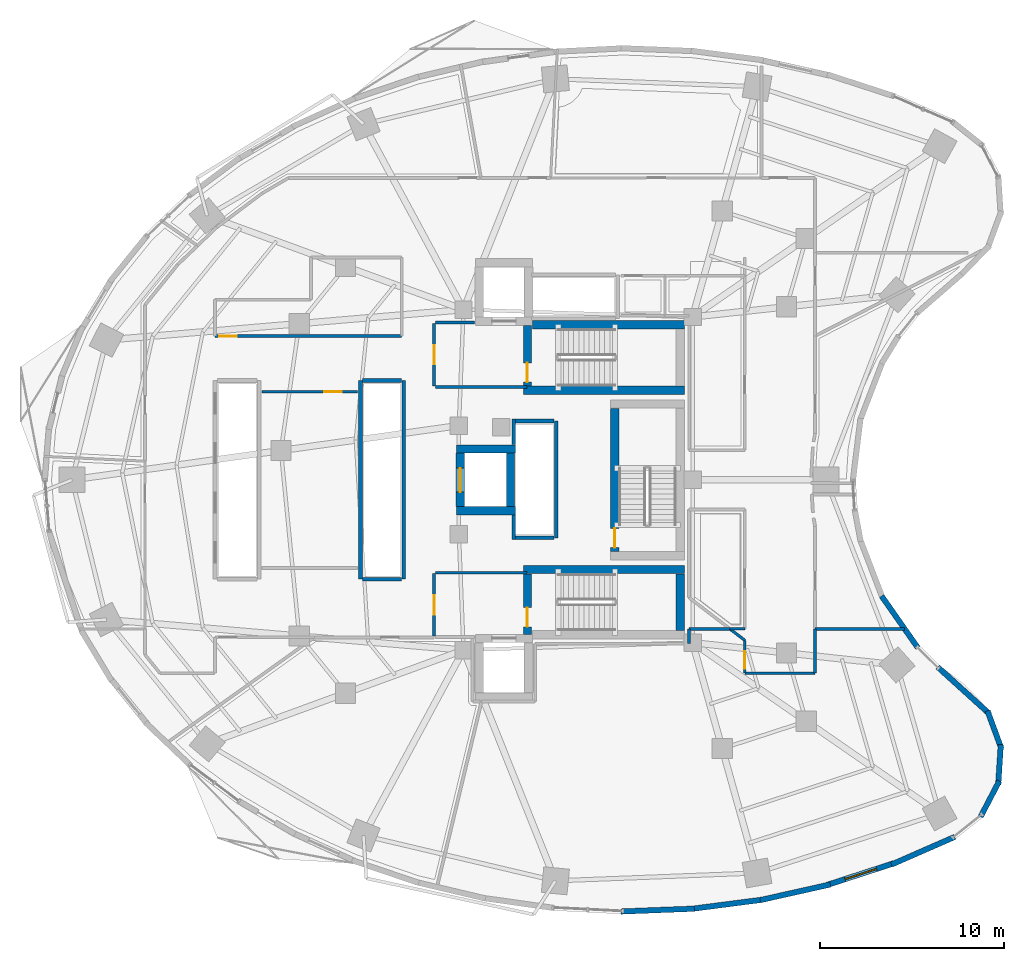
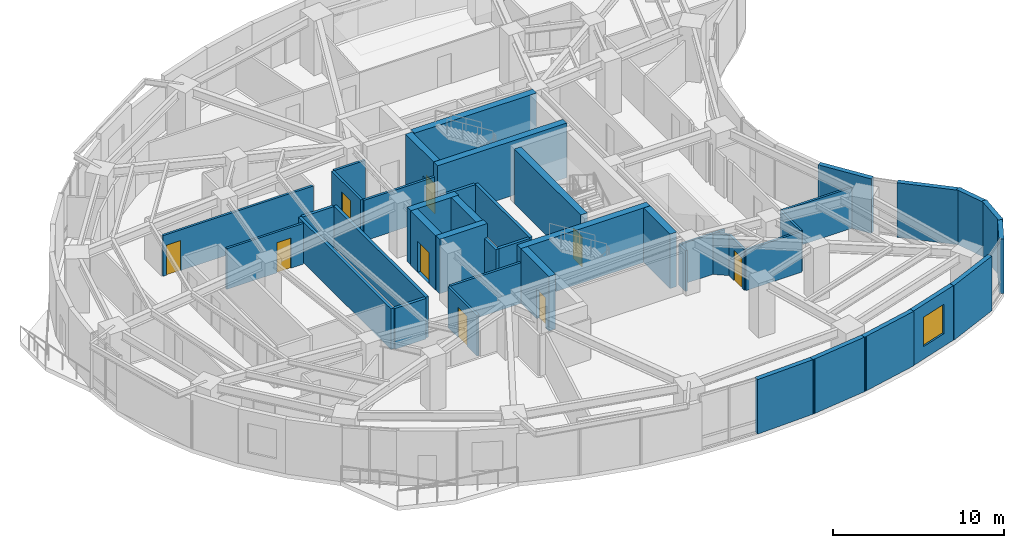
# One storey, part 9 of 15: 45 walls, 9 doors, 1 window, 10 openings.
"""IFC4 building model written with IfcOpenShell, lengths in metres."""

from ifc_helpers import new_model, si_unit, direction, frame, frame_2d, origin, place, context, subcontext, project, spatial, rectangle, extrude, material, layer, layer_set, type_object, element, fill, save


model = new_model("IFC4")

# Units and contexts
model_context = context("Model", 3, precision=1e-05, world=origin(), true_north=direction((0.0, 1.0)))
body_context = subcontext(model_context, "Body", "Model", "MODEL_VIEW")
ifc_project = project(units=[si_unit("LENGTHUNIT", "METRE"), si_unit("AREAUNIT", "SQUARE_METRE"), si_unit("VOLUMEUNIT", "CUBIC_METRE"), si_unit("PLANEANGLEUNIT", "RADIAN"), si_unit("MASSUNIT", "GRAM", prefix="KILO")], contexts=[model_context])

# Site, building, storey
site_placement = place(None, origin())
site = spatial("IfcSite", under=ifc_project, at=site_placement, CompositionType="ELEMENT")
building_placement = place(site_placement, origin())
building = spatial("IfcBuilding", under=site, at=building_placement, Name="Korentha Bioscience Tower", CompositionType="ELEMENT")
storey_placement = place(building_placement, frame((0.0, 0.0, 34.199951171875)))
storey = spatial("IfcBuildingStorey", under=building, at=storey_placement, Name="L07", CompositionType="ELEMENT", Elevation=34.199951171875)

# Wall, opening, door
ifc_material_1 = material(Name="Double-Stud Acoustic Gypsum", Category="gypsum")
ifc_layer_1 = layer(ifc_material_1, 0.14990234375, Name="Double-Stud Acoustic Gypsum")
ifc_layer_set_1 = layer_set([ifc_layer_1], Name="Double-Stud Acoustic Gypsum (IW-L150)")
wall_type_1 = type_object("IfcWallType", Name="Acoustic Laboratory Partition Wall 150", PredefinedType="PARTITIONING", material=ifc_layer_set_1)
wall_1_placement = place(storey_placement, frame((14.159912109375, 31.7900390625, 0.0), z_axis=(0.0, 0.0, 1.0), x_axis=(1.0, 0.0, 0.0)))
wall_1 = element("IfcWall", 1, at=wall_1_placement, inside=storey, type_object=wall_type_1, Name="L07 Principal Investigator Office 01 Entrance Wall", PredefinedType="PARTITIONING", context=body_context, shape_type="SweptSolid", body=[
    extrude(rectangle(XDim=5.18017578125, YDim=0.14990234375, at=frame_2d((2.590087890625, 0.0))), origin(), (0.0, 0.0, 1.0), 2.91015625),
])
opening_1_placement = place(wall_1_placement, frame((3.37841796875, 0.0, 0.0)))
opening_1 = element("IfcOpeningElement", 2, at=opening_1_placement, cuts=wall_1, Name="Opening ID-10L", PredefinedType="OPENING", context=body_context, shape_type="SweptSolid", body=[
    extrude(rectangle(XDim=0.949951171875, YDim=2.14990234375, at=frame_2d((0.47509765625, 1.074951171875))), frame((0.0, 0.08984375, 0.0), z_axis=(0.0, -1.0, 0.0), x_axis=(1.0, 0.0, 0.0)), (0.0, 0.0, 1.0), 0.1796875),
])
ifc_material_2 = material(Name="Phenolic Laminate Timber Core", Category="wood")
door_type_1 = type_object("IfcDoorType", Name="Laboratory Single Leaf Door 950x2150 Left", OperationType="SINGLE_SWING_LEFT", PredefinedType="DOOR", material=ifc_material_2)
door_1_placement = place(opening_1_placement, origin())
door_1 = element("IfcDoor", 3, at=door_1_placement, inside=storey, type_object=door_type_1, Name="L07 Principal Investigator Office 01 Door", OperationType="SINGLE_SWING_LEFT", OverallHeight=2.14990234375, OverallWidth=0.949951171875, PredefinedType="DOOR", context=body_context, shape_type="SweptSolid", body=[
    extrude(rectangle(XDim=0.949951171875, YDim=2.14990234375, at=frame_2d((0.47509765625, 1.074951171875))), frame((0.0, 0.02490234375, 0.0), z_axis=(0.0, -1.0, 0.0), x_axis=(1.0, 0.0, 0.0)), (0.0, 0.0, 1.0), 0.050048828125),
])
fill(opening_1, door_1)

wall_2_placement = place(storey_placement, frame((40.389892578125, 18.278076171875, 0.0), z_axis=(0.0, 0.0, 1.0), x_axis=(0.0, -1.0, 0.0)))
wall_2 = element("IfcWall", 4, at=wall_2_placement, inside=storey, type_object=wall_type_1, Name="L07 Ethics and Biosafety Briefing Room 05 Entrance Wall", PredefinedType="PARTITIONING", context=body_context, shape_type="SweptSolid", body=[
    extrude(rectangle(XDim=1.778076171875, YDim=0.14990234375, at=frame_2d((0.88916015625, 0.0))), origin(), (0.0, 0.0, 1.0), 2.91015625),
])
opening_2_placement = place(wall_2_placement, frame((0.587890625, 0.0, 0.0)))
opening_2 = element("IfcOpeningElement", 5, at=opening_2_placement, cuts=wall_2, Name="Opening ID-10L", PredefinedType="OPENING", context=body_context, shape_type="SweptSolid", body=[
    extrude(rectangle(XDim=0.949951171875, YDim=2.14990234375, at=frame_2d((0.47509765625, 1.074951171875))), frame((0.0, 0.08984375, 0.0), z_axis=(0.0, -1.0, 0.0), x_axis=(1.0, 0.0, 0.0)), (0.0, 0.0, 1.0), 0.1796875),
])
door_2_placement = place(opening_2_placement, origin())
door_2 = element("IfcDoor", 6, at=door_2_placement, inside=storey, type_object=door_type_1, Name="L07 Ethics and Biosafety Briefing Room 05 Door", OperationType="SINGLE_SWING_LEFT", OverallHeight=2.14990234375, OverallWidth=0.949951171875, PredefinedType="DOOR", context=body_context, shape_type="SweptSolid", body=[
    extrude(rectangle(XDim=0.949951171875, YDim=2.14990234375, at=frame_2d((0.47509765625, 1.074951171875))), frame((0.0, 0.02490234375, 0.0), z_axis=(0.0, -1.0, 0.0), x_axis=(1.0, 0.0, 0.0)), (0.0, 0.0, 1.0), 0.050048828125),
])
fill(opening_2, door_2)

wall_3_placement = place(storey_placement, frame((21.739990234375, 34.81005859375, 0.0), z_axis=(0.0, 0.0, 1.0), x_axis=(-1.0, 0.0, 0.0)))
wall_3 = element("IfcWall", 7, at=wall_3_placement, inside=storey, type_object=wall_type_1, Name="L07 Terrace View Refreshment Lounge 15 Entrance Wall", PredefinedType="PARTITIONING", context=body_context, shape_type="SweptSolid", body=[
    extrude(rectangle(XDim=10.14990234375, YDim=0.14990234375, at=frame_2d((5.074951171875, 0.0))), origin(), (0.0, 0.0, 1.0), 2.91015625),
])
opening_3_placement = place(wall_3_placement, frame((8.9599609375, 0.0, 0.0)))
opening_3 = element("IfcOpeningElement", 8, at=opening_3_placement, cuts=wall_3, Name="Opening ID-10L", PredefinedType="OPENING", context=body_context, shape_type="SweptSolid", body=[
    extrude(rectangle(XDim=0.949951171875, YDim=2.14990234375, at=frame_2d((0.47509765625, 1.074951171875))), frame((0.0, 0.08984375, 0.0), z_axis=(0.0, -1.0, 0.0), x_axis=(1.0, 0.0, 0.0)), (0.0, 0.0, 1.0), 0.1796875),
])
door_3_placement = place(opening_3_placement, origin())
door_3 = element("IfcDoor", 9, at=door_3_placement, inside=storey, type_object=door_type_1, Name="L07 Terrace View Refreshment Lounge 15 Door", OperationType="SINGLE_SWING_LEFT", OverallHeight=2.14990234375, OverallWidth=0.949951171875, PredefinedType="DOOR", context=body_context, shape_type="SweptSolid", body=[
    extrude(rectangle(XDim=0.949951171875, YDim=2.14990234375, at=frame_2d((0.47509765625, 1.074951171875))), frame((0.0, 0.02490234375, 0.0), z_axis=(0.0, -1.0, 0.0), x_axis=(1.0, 0.0, 0.0)), (0.0, 0.0, 1.0), 0.050048828125),
])
fill(opening_3, door_3)

# Walls
wall_4_placement = place(storey_placement, frame((37.360107421875, 18.10009765625, 0.0), z_axis=(0.0, 0.0, 1.0), x_axis=(0.0, 1.0, 0.0)))
element("IfcWall", 10, at=wall_4_placement, inside=storey, type_object=wall_type_1, Name="L07 Interior Partition 033", PredefinedType="PARTITIONING", context=body_context, shape_type="SweptSolid", body=[
    extrude(rectangle(XDim=0.7978515625, YDim=0.14990234375, at=frame_2d((0.39892578125, 0.0))), origin(), (0.0, 0.0, 1.0), 2.91015625),
])
wall_5_placement = place(storey_placement, frame((37.360107421875, 18.89794921875, 0.0), z_axis=(0.0, 0.0, 1.0), x_axis=(1.0, 0.0, 0.0)))
element("IfcWall", 11, at=wall_5_placement, inside=storey, type_object=wall_type_1, Name="L07 Interior Partition 034", PredefinedType="PARTITIONING", context=body_context, shape_type="SweptSolid", body=[
    extrude(rectangle(XDim=2.218017578125, YDim=0.14990234375, at=frame_2d((1.10888671875, 0.0))), origin(), (0.0, 0.0, 1.0), 2.91015625),
])
wall_6_placement = place(storey_placement, frame((39.578369140625, 18.89794921875, 0.0), z_axis=(0.0, 0.0, 1.0), x_axis=(0.794690228638, -0.607015189684, 0.0)))
element("IfcWall", 12, at=wall_6_placement, inside=storey, type_object=wall_type_1, Name="L07 Interior Partition 035", PredefinedType="PARTITIONING", context=body_context, shape_type="SweptSolid", body=[
    extrude(rectangle(XDim=1.021240234375, YDim=0.14990234375, at=frame_2d((0.5107421875, 0.0))), origin(), (0.0, 0.0, 1.0), 2.91015625),
])
wall_7_placement = place(storey_placement, frame((40.39990234375, 16.489990234375, 0.0), z_axis=(0.0, 0.0, 1.0), x_axis=(1.0, 0.0, 0.0)))
element("IfcWall", 13, at=wall_7_placement, inside=storey, type_object=wall_type_1, Name="L07 Interior Partition 036", PredefinedType="PARTITIONING", context=body_context, shape_type="SweptSolid", body=[
    extrude(rectangle(XDim=3.800048828125, YDim=0.14990234375, at=frame_2d((1.89990234375, 0.0))), origin(), (0.0, 0.0, 1.0), 2.91015625),
])
wall_8_placement = place(storey_placement, frame((44.2099609375, 16.5, 0.0), z_axis=(0.0, 0.0, 1.0), x_axis=(0.0, 1.0, 0.0)))
element("IfcWall", 14, at=wall_8_placement, inside=storey, type_object=wall_type_1, Name="L07 Interior Partition 037", PredefinedType="PARTITIONING", context=body_context, shape_type="SweptSolid", body=[
    extrude(rectangle(XDim=2.39794921875, YDim=0.14990234375, at=frame_2d((1.198974609375, 0.0))), origin(), (0.0, 0.0, 1.0), 2.91015625),
])
wall_9_placement = place(storey_placement, frame((44.2099609375, 18.89794921875, 0.0), z_axis=(0.0, 0.0, 1.0), x_axis=(1.0, 0.0, 0.0)))
element("IfcWall", 15, at=wall_9_placement, inside=storey, type_object=wall_type_1, Name="L07 Interior Partition 038", PredefinedType="PARTITIONING", context=body_context, shape_type="SweptSolid", body=[
    extrude(rectangle(XDim=4.855224609375, YDim=0.14990234375, at=frame_2d((2.427734375, 0.0))), origin(), (0.0, 0.0, 1.0), 2.91015625),
])
wall_10_placement = place(storey_placement, frame((40.389892578125, 18.902099609375, 0.0), z_axis=(0.0, 0.0, 1.0), x_axis=(-1.0, 0.0, 0.0)))
element("IfcWall", 16, at=wall_10_placement, inside=storey, type_object=wall_type_1, Name="L07 Interior Partition 043", PredefinedType="PARTITIONING", context=body_context, shape_type="SweptSolid", body=[
    extrude(rectangle(XDim=0.80029296875, YDim=0.14990234375, at=frame_2d((0.400146484375, 0.0))), origin(), (0.0, 0.0, 1.0), 2.91015625),
])

# Wall, opening, door
ifc_material_3 = material(Name="Gypsum-Clad Steel Stud", Category="steel")
ifc_layer_2 = layer(ifc_material_3, 0.159912109375, Name="Gypsum-Clad Steel Stud")
ifc_layer_set_2 = layer_set([ifc_layer_2], Name="Gypsum-Clad Steel Stud (IW-C160)")
wall_type_2 = type_object("IfcWallType", Name="Fire-Rated Corridor Partition Wall 160", PredefinedType="PARTITIONING", material=ifc_layer_set_2)
wall_11_placement = place(storey_placement, frame((23.5, 32.10009765625, 0.0), z_axis=(0.0, 0.0, 1.0), x_axis=(0.0, 1.0, 0.0)))
wall_11 = element("IfcWall", 17, at=wall_11_placement, inside=storey, type_object=wall_type_2, Name="L07 FFLN-CW Rated Enclosure Wall", PredefinedType="PARTITIONING", context=body_context, shape_type="SweptSolid", body=[
    extrude(rectangle(XDim=3.39990234375, YDim=0.159912109375, at=frame_2d((1.699951171875, 0.0))), origin(), (0.0, 0.0, 1.0), 2.91015625),
])
opening_4_placement = place(wall_11_placement, frame((1.175048828125, 0.0, 0.0)))
opening_4 = element("IfcOpeningElement", 18, at=opening_4_placement, cuts=wall_11, Name="Opening FD-90R", PredefinedType="OPENING", context=body_context, shape_type="SweptSolid", body=[
    extrude(rectangle(XDim=1.050048828125, YDim=2.14990234375, at=frame_2d((0.52490234375, 1.074951171875))), frame((0.0, 0.0947265625, 0.0), z_axis=(0.0, -1.0, 0.0), x_axis=(1.0, 0.0, 0.0)), (0.0, 0.0, 1.0), 0.189697265625),
])
ifc_material_4 = material(Name="Powder-Coated Fire-Rated Steel", Category="steel")
door_type_2 = type_object("IfcDoorType", Name="Stairwell Fire Exit Door 1050x2150 Right", OperationType="SINGLE_SWING_RIGHT", PredefinedType="DOOR", material=ifc_material_4)
door_4_placement = place(opening_4_placement, origin())
door_4 = element("IfcDoor", 19, at=door_4_placement, inside=storey, type_object=door_type_2, Name="L07 North Firefighting Lobby Door", OperationType="SINGLE_SWING_RIGHT", OverallHeight=2.14990234375, OverallWidth=1.050048828125, PredefinedType="DOOR", context=body_context, shape_type="SweptSolid", body=[
    extrude(rectangle(XDim=1.050048828125, YDim=2.14990234375, at=frame_2d((0.52490234375, 1.074951171875))), frame((0.0, 0.02490234375, 0.0), z_axis=(0.0, -1.0, 0.0), x_axis=(1.0, 0.0, 0.0)), (0.0, 0.0, 1.0), 0.050048828125),
])
fill(opening_4, door_4)

wall_12_placement = place(storey_placement, frame((23.5, 18.5, 0.0), z_axis=(0.0, 0.0, 1.0), x_axis=(0.0, 1.0, 0.0)))
wall_12 = element("IfcWall", 20, at=wall_12_placement, inside=storey, type_object=wall_type_2, Name="L07 FFLS-CW Rated Enclosure Wall", PredefinedType="PARTITIONING", context=body_context, shape_type="SweptSolid", body=[
    extrude(rectangle(XDim=3.39990234375, YDim=0.159912109375, at=frame_2d((1.699951171875, 0.0))), origin(), (0.0, 0.0, 1.0), 2.91015625),
])
opening_5_placement = place(wall_12_placement, frame((1.175048828125, 0.0, 0.0)))
opening_5 = element("IfcOpeningElement", 21, at=opening_5_placement, cuts=wall_12, Name="Opening FD-90R", PredefinedType="OPENING", context=body_context, shape_type="SweptSolid", body=[
    extrude(rectangle(XDim=1.050048828125, YDim=2.14990234375, at=frame_2d((0.52490234375, 1.074951171875))), frame((0.0, 0.0947265625, 0.0), z_axis=(0.0, -1.0, 0.0), x_axis=(1.0, 0.0, 0.0)), (0.0, 0.0, 1.0), 0.189697265625),
])
door_5_placement = place(opening_5_placement, origin())
door_5 = element("IfcDoor", 22, at=door_5_placement, inside=storey, type_object=door_type_2, Name="L07 South Firefighting Lobby Door", OperationType="SINGLE_SWING_RIGHT", OverallHeight=2.14990234375, OverallWidth=1.050048828125, PredefinedType="DOOR", context=body_context, shape_type="SweptSolid", body=[
    extrude(rectangle(XDim=1.050048828125, YDim=2.14990234375, at=frame_2d((0.52490234375, 1.074951171875))), frame((0.0, 0.02490234375, 0.0), z_axis=(0.0, -1.0, 0.0), x_axis=(1.0, 0.0, 0.0)), (0.0, 0.0, 1.0), 0.050048828125),
])
fill(opening_5, door_5)

# Walls
wall_13_placement = place(storey_placement, frame((23.580078125, 32.050048828125, 0.0), z_axis=(0.0, 0.0, 1.0), x_axis=(1.0, 0.0, 0.0)))
element("IfcWall", 23, at=wall_13_placement, inside=storey, type_object=wall_type_2, Name="L07 Firefighting Lobby Return Wall FFLN-S", PredefinedType="PARTITIONING", context=body_context, shape_type="SweptSolid", body=[
    extrude(rectangle(XDim=4.969970703125, YDim=0.159912109375, at=frame_2d((2.48486328125, 0.0))), origin(), (0.0, 0.0, 1.0), 2.91015625),
])
wall_14_placement = place(storey_placement, frame((23.580078125, 35.550048828125, 0.0), z_axis=(0.0, 0.0, 1.0), x_axis=(1.0, 0.0, 0.0)))
element("IfcWall", 24, at=wall_14_placement, inside=storey, type_object=wall_type_2, Name="L07 Firefighting Lobby Return Wall FFLN-N", PredefinedType="PARTITIONING", context=body_context, shape_type="SweptSolid", body=[
    extrude(rectangle(XDim=2.119873046875, YDim=0.159912109375, at=frame_2d((1.06005859375, 0.0))), origin(), (0.0, 0.0, 1.0), 2.91015625),
])
wall_15_placement = place(storey_placement, frame((23.580078125, 21.949951171875, 0.0), z_axis=(0.0, 0.0, 1.0), x_axis=(1.0, 0.0, 0.0)))
element("IfcWall", 25, at=wall_15_placement, inside=storey, type_object=wall_type_2, Name="L07 Firefighting Lobby Return Wall FFLS-N", PredefinedType="PARTITIONING", context=body_context, shape_type="SweptSolid", body=[
    extrude(rectangle(XDim=4.969970703125, YDim=0.159912109375, at=frame_2d((2.48486328125, 0.0))), origin(), (0.0, 0.0, 1.0), 2.91015625),
])

# Wall, opening, window
ifc_material_5 = material(Name="Honed Limestone Precast Concrete C40", Category="masonry")
ifc_layer_3 = layer(ifc_material_5, 0.300048828125, Name="Honed Limestone Precast Concrete C40")
ifc_layer_set_3 = layer_set([ifc_layer_3], Name="Honed Limestone Precast Concrete C40 (EW-ST300)")
wall_type_3 = type_object("IfcWallType", Name="Honed Limestone Cavity Spandrel Wall 300", PredefinedType="STANDARD", material=ifc_layer_set_3)
wall_16_placement = place(storey_placement, frame((44.885498046875, 4.98828125, 0.0), z_axis=(0.0, 0.0, 1.0), x_axis=(0.950958033078, 0.30931993037, 0.0)))
wall_16 = element("IfcWall", 26, at=wall_16_placement, inside=storey, type_object=wall_type_3, Name="L07 Honed Limestone Spandrel Wall 35", PredefinedType="STANDARD", context=body_context, shape_type="SweptSolid", body=[
    extrude(rectangle(XDim=3.80029296875, YDim=0.300048828125, at=frame_2d((1.900146484375, 0.0))), origin(), (0.0, 0.0, 1.0), 3.900146484375),
])
opening_6_placement = place(wall_16_placement, frame((1.0, 0.0, 0.89990234375)))
opening_6 = element("IfcOpeningElement", 27, at=opening_6_placement, cuts=wall_16, Name="Opening WN-01", PredefinedType="OPENING", context=body_context, shape_type="SweptSolid", body=[
    extrude(rectangle(XDim=1.800048828125, YDim=2.10009765625, at=frame_2d((0.89990234375, 1.050048828125))), frame((0.0, 0.1650390625, 0.0), z_axis=(0.0, -1.0, 0.0), x_axis=(1.0, 0.0, 0.0)), (0.0, 0.0, 1.0), 0.329833984375),
])
ifc_material_6 = material(Name="Thermally Broken Aluminium Triple Glazing", Category="aluminium")
window_type = type_object("IfcWindowType", Name="Triple-Glazed Fixed Bioscience Window 1800x2100", PartitioningType="SINGLE_PANEL", PredefinedType="WINDOW", material=ifc_material_6)
window_placement = place(opening_6_placement, origin())
window = element("IfcWindow", 28, at=window_placement, inside=storey, type_object=window_type, Name="L07 Facade Window 35", OverallHeight=2.10009765625, OverallWidth=1.800048828125, PartitioningType="SINGLE_PANEL", PredefinedType="WINDOW", context=body_context, shape_type="SweptSolid", body=[
    extrude(rectangle(XDim=1.800048828125, YDim=2.10009765625, at=frame_2d((0.89990234375, 1.050048828125))), frame((0.0, 0.030029296875, 0.0), z_axis=(0.0, -1.0, 0.0), x_axis=(1.0, 0.0, 0.0)), (0.0, 0.0, 1.0), 0.06005859375),
])
fill(opening_6, window)

# Walls
wall_17_placement = place(storey_placement, frame((33.66796875, 3.53759765625, 0.0), z_axis=(0.0, 0.0, 1.0), x_axis=(0.999245411623, 0.038840794937, 0.0)))
element("IfcWall", 29, at=wall_17_placement, inside=storey, type_object=wall_type_3, Name="L07 Limestone Perimeter Closure Wall 32", PredefinedType="STANDARD", context=body_context, shape_type="SweptSolid", body=[
    extrude(rectangle(XDim=3.978759765625, YDim=0.300048828125, at=frame_2d((1.9892578125, 0.0))), origin(), (0.0, 0.0, 1.0), 3.900146484375),
])
wall_18_placement = place(storey_placement, frame((37.471923828125, 3.677734375, 0.0), z_axis=(0.0, 0.0, 1.0), x_axis=(0.991734095036, 0.128310111617, 0.0)))
element("IfcWall", 30, at=wall_18_placement, inside=storey, type_object=wall_type_3, Name="L07 Limestone Perimeter Closure Wall 33", PredefinedType="STANDARD", context=body_context, shape_type="SweptSolid", body=[
    extrude(rectangle(XDim=3.955810546875, YDim=0.300048828125, at=frame_2d((1.97802734375, 0.0))), origin(), (0.0, 0.0, 1.0), 3.900146484375),
])
wall_19_placement = place(storey_placement, frame((41.22509765625, 4.1552734375, 0.0), z_axis=(0.0, 0.0, 1.0), x_axis=(0.975868573345, 0.218358713032, 0.0)))
element("IfcWall", 31, at=wall_19_placement, inside=storey, type_object=wall_type_3, Name="L07 Limestone Perimeter Closure Wall 34", PredefinedType="STANDARD", context=body_context, shape_type="SweptSolid", body=[
    extrude(rectangle(XDim=3.90869140625, YDim=0.300048828125, at=frame_2d((1.954345703125, 0.0))), origin(), (0.0, 0.0, 1.0), 3.900146484375),
])
wall_20_placement = place(storey_placement, frame((48.3623046875, 6.089111328125, 0.0), z_axis=(0.0, 0.0, 1.0), x_axis=(0.915945168042, 0.401303437738, 0.0)))
element("IfcWall", 32, at=wall_20_placement, inside=storey, type_object=wall_type_3, Name="L07 Limestone Perimeter Closure Wall 36", PredefinedType="STANDARD", context=body_context, shape_type="SweptSolid", body=[
    extrude(rectangle(XDim=3.75244140625, YDim=0.300048828125, at=frame_2d((1.876220703125, 0.0))), origin(), (0.0, 0.0, 1.0), 3.900146484375),
])
wall_21_placement = place(storey_placement, frame((53.20751953125, 8.691650390625, 0.0), z_axis=(0.0, 0.0, 1.0), x_axis=(0.463035066673, 0.886339961319, 0.0)))
element("IfcWall", 33, at=wall_21_placement, inside=storey, type_object=wall_type_3, Name="L07 Limestone Perimeter Closure Wall 38", PredefinedType="STANDARD", context=body_context, shape_type="SweptSolid", body=[
    extrude(rectangle(XDim=2.1875, YDim=0.300048828125, at=frame_2d((1.09375, 0.0))), origin(), (0.0, 0.0, 1.0), 3.900146484375),
])
for number, where, z_axis, x_axis, name in (
    (34, (54.16259765625, 10.42431640625, 0.0), (0.0, 0.0, 1.0), (0.064615302336, 0.99791024782, 0.0), "L07 Limestone Perimeter Closure Wall 39"),
    (35, (54.334716796875, 12.39501953125, 0.0), (0.0, 0.0, 1.0), (-0.344939866054, 0.938624785954, 0.0), "L07 Limestone Perimeter Closure Wall 40"),
):
    element("IfcWall", number, at=place(storey_placement, frame(where, z_axis=z_axis, x_axis=x_axis)), inside=storey, type_object=wall_type_3, Name=name, PredefinedType="STANDARD", context=body_context, shape_type="SweptSolid", body=[
        extrude(rectangle(XDim=2.187744140625, YDim=0.300048828125, at=frame_2d((1.09375, 0.0))), origin(), (0.0, 0.0, 1.0), 3.900146484375),
    ])
wall_22_placement = place(storey_placement, frame((53.704345703125, 14.26416015625, 0.0), z_axis=(0.0, 0.0, 1.0), x_axis=(-0.74117794387, 0.671308614216, 0.0)))
element("IfcWall", 36, at=wall_22_placement, inside=storey, type_object=wall_type_3, Name="L07 Limestone Perimeter Closure Wall 41", PredefinedType="STANDARD", context=body_context, shape_type="SweptSolid", body=[
    extrude(rectangle(XDim=3.815673828125, YDim=0.300048828125, at=frame_2d((1.90771484375, 0.0))), origin(), (0.0, 0.0, 1.0), 3.900146484375),
])
wall_23_placement = place(storey_placement, frame((49.79248046875, 17.8779296875, 0.0), z_axis=(0.0, 0.0, 1.0), x_axis=(-0.573576992806, 0.819151654655, 0.0)))
element("IfcWall", 37, at=wall_23_placement, inside=storey, type_object=wall_type_3, Name="L07 Limestone Perimeter Closure Wall 44", PredefinedType="STANDARD", context=body_context, shape_type="SweptSolid", body=[
    extrude(rectangle(XDim=3.429931640625, YDim=0.300048828125, at=frame_2d((1.71484375, 0.0))), origin(), (0.0, 0.0, 1.0), 3.900146484375),
])
ifc_material_7 = material(Name="Autoclaved Aerated Concrete Block C25", Category="concrete")
ifc_layer_4 = layer(ifc_material_7, 0.199951171875, Name="Autoclaved Aerated Concrete Block C25")
ifc_layer_set_4 = layer_set([ifc_layer_4], Name="Autoclaved Aerated Concrete Block C25 (IW-S200)")
wall_type_4 = type_object("IfcWallType", Name="Lift and Riser Shaft Enclosure Wall 200", PredefinedType="PARTITIONING", material=ifc_layer_set_4)
for number, where, z_axis, x_axis, name in (
    (38, (19.5, 21.60009765625, 0.0), (0.0, 0.0, 1.0), (0.0, 1.0, 0.0), "L07 Lift Bank MID Shaft Wall -X"),
    (39, (21.85009765625, 21.60009765625, 0.0), (0.0, 0.0, 1.0), (0.0, 1.0, 0.0), "L07 Lift Bank MID Shaft Wall +X"),
):
    element("IfcWall", number, at=place(storey_placement, frame(where, z_axis=z_axis, x_axis=x_axis)), inside=storey, type_object=wall_type_4, Name=name, PredefinedType="PARTITIONING", context=body_context, shape_type="SweptSolid", body=[
        extrude(rectangle(XDim=10.7998046875, YDim=0.199951171875, at=frame_2d((5.39990234375, 0.0))), origin(), (0.0, 0.0, 1.0), 2.91015625),
    ])
for number, where, z_axis, x_axis, name in (
    (40, (19.6201171875, 21.60009765625, 0.0), (0.0, 0.0, 1.0), (1.0, 0.0, 0.0), "L07 Lift Bank MID Shaft Wall -Y"),
    (41, (19.6201171875, 32.39990234375, 0.0), (0.0, 0.0, 1.0), (1.0, 0.0, 0.0), "L07 Lift Bank MID Shaft Wall +Y"),
):
    element("IfcWall", number, at=place(storey_placement, frame(where, z_axis=z_axis, x_axis=x_axis)), inside=storey, type_object=wall_type_4, Name=name, PredefinedType="PARTITIONING", context=body_context, shape_type="SweptSolid", body=[
        extrude(rectangle(XDim=2.10986328125, YDim=0.199951171875, at=frame_2d((1.054931640625, 0.0))), origin(), (0.0, 0.0, 1.0), 2.91015625),
    ])
wall_24_placement = place(storey_placement, frame((27.830078125, 23.75, 0.0), z_axis=(0.0, 0.0, 1.0), x_axis=(0.0, 1.0, 0.0)))
element("IfcWall", 42, at=wall_24_placement, inside=storey, type_object=wall_type_4, Name="L07 Lift Bank HIGH Shaft Wall -XS", PredefinedType="PARTITIONING", context=body_context, shape_type="SweptSolid", body=[
    extrude(rectangle(XDim=1.341064453125, YDim=0.199951171875, at=frame_2d((0.67041015625, 0.0))), origin(), (0.0, 0.0, 1.0), 2.91015625),
])
wall_25_placement = place(storey_placement, frame((27.830078125, 28.908935546875, 0.0), z_axis=(0.0, 0.0, 1.0), x_axis=(0.0, 1.0, 0.0)))
element("IfcWall", 43, at=wall_25_placement, inside=storey, type_object=wall_type_4, Name="L07 Lift Bank HIGH Shaft Wall -XN", PredefinedType="PARTITIONING", context=body_context, shape_type="SweptSolid", body=[
    extrude(rectangle(XDim=1.39111328125, YDim=0.199951171875, at=frame_2d((0.695556640625, 0.0))), origin(), (0.0, 0.0, 1.0), 2.91015625),
])
wall_26_placement = place(storey_placement, frame((30.14990234375, 23.85009765625, 0.0), z_axis=(0.0, 0.0, 1.0), x_axis=(0.0, 1.0, 0.0)))
element("IfcWall", 44, at=wall_26_placement, inside=storey, type_object=wall_type_4, Name="L07 Lift Bank HIGH Shaft Wall +X", PredefinedType="PARTITIONING", context=body_context, shape_type="SweptSolid", body=[
    extrude(rectangle(XDim=6.349853515625, YDim=0.199951171875, at=frame_2d((3.1748046875, 0.0))), origin(), (0.0, 0.0, 1.0), 2.91015625),
])
for number, where, z_axis, x_axis, name in (
    (45, (27.93408203125, 23.85009765625, 0.0), (0.0, 0.0, 1.0), (1.0, 0.0, 0.0), "L07 Lift Bank HIGH Shaft Wall -Y"),
    (46, (27.93408203125, 30.199951171875, 0.0), (0.0, 0.0, 1.0), (1.0, 0.0, 0.0), "L07 Lift Bank HIGH Shaft Wall +Y"),
):
    element("IfcWall", number, at=place(storey_placement, frame(where, z_axis=z_axis, x_axis=x_axis)), inside=storey, type_object=wall_type_4, Name=name, PredefinedType="PARTITIONING", context=body_context, shape_type="SweptSolid", body=[
        extrude(rectangle(XDim=2.095947265625, YDim=0.199951171875, at=frame_2d((1.0478515625, 0.0))), origin(), (0.0, 0.0, 1.0), 2.91015625),
    ])
ifc_material_8 = material(Name="Concrete C80", Category="concrete")
ifc_layer_5 = layer(ifc_material_8, 0.449951171875, Name="Concrete C80")
ifc_layer_set_5 = layer_set([ifc_layer_5], Name="Concrete C80 (CW-C80)")
wall_type_5 = type_object("IfcWallType", Name="Lower Core Shear Wall 450", PredefinedType="SHEAR", material=ifc_layer_set_5)
wall_27_placement = place(storey_placement, frame((28.85205078125, 35.425048828125, 0.0), z_axis=(0.0, 0.0, 1.0), x_axis=(1.0, 0.0, 0.0)))
element("IfcWall", 47, at=wall_27_placement, inside=storey, type_object=wall_type_5, Name="L07 Core Shear Wall ST1-N", PredefinedType="SHEAR", context=body_context, shape_type="SweptSolid", body=[
    extrude(rectangle(XDim=8.248046875, YDim=0.449951171875, at=frame_2d((4.1240234375, 0.0))), origin(), (0.0, 0.0, 1.0), 3.900146484375),
])
wall_28_placement = place(storey_placement, frame((28.35009765625, 31.875, 0.0), z_axis=(0.0, 0.0, 1.0), x_axis=(1.0, 0.0, 0.0)))
element("IfcWall", 48, at=wall_28_placement, inside=storey, type_object=wall_type_5, Name="L07 Core Shear Wall ST1-S", PredefinedType="SHEAR", context=body_context, shape_type="SweptSolid", body=[
    extrude(rectangle(XDim=8.75, YDim=0.449951171875, at=frame_2d((4.375, 0.0))), origin(), (0.0, 0.0, 1.0), 3.900146484375),
])

# Wall, opening, door
wall_29_placement = place(storey_placement, frame((28.574951171875, 32.110107421875, 0.0), z_axis=(0.0, 0.0, 1.0), x_axis=(0.0, 1.0, 0.0)))
wall_29 = element("IfcWall", 49, at=wall_29_placement, inside=storey, type_object=wall_type_5, Name="L07 Core Shear Wall ST1-W", PredefinedType="SHEAR", context=body_context, shape_type="SweptSolid", body=[
    extrude(rectangle(XDim=3.282958984375, YDim=0.449951171875, at=frame_2d((1.6416015625, 0.0))), origin(), (0.0, 0.0, 1.0), 3.900146484375),
])
opening_7_placement = place(wall_29_placement, frame((0.199951171875, 0.0, 0.0)))
opening_7 = element("IfcOpeningElement", 50, at=opening_7_placement, cuts=wall_29, Name="Opening FD-90R", PredefinedType="OPENING", context=body_context, shape_type="SweptSolid", body=[
    extrude(rectangle(XDim=1.050048828125, YDim=2.14990234375, at=frame_2d((0.52490234375, 1.074951171875))), frame((0.0, 0.23974609375, 0.0), z_axis=(0.0, -1.0, 0.0), x_axis=(1.0, 0.0, 0.0)), (0.0, 0.0, 1.0), 0.479736328125),
])
door_6_placement = place(opening_7_placement, origin())
door_6 = element("IfcDoor", 51, at=door_6_placement, inside=storey, type_object=door_type_2, Name="L07 ST-1 Fire Exit Stair Door", OperationType="SINGLE_SWING_RIGHT", OverallHeight=2.14990234375, OverallWidth=1.050048828125, PredefinedType="DOOR", context=body_context, shape_type="SweptSolid", body=[
    extrude(rectangle(XDim=1.050048828125, YDim=2.14990234375, at=frame_2d((0.52490234375, 1.074951171875))), frame((0.0, 0.02490234375, 0.0), z_axis=(0.0, -1.0, 0.0), x_axis=(1.0, 0.0, 0.0)), (0.0, 0.0, 1.0), 0.050048828125),
])
fill(opening_7, door_6)

# Walls
wall_30_placement = place(storey_placement, frame((28.35009765625, 22.125, 0.0), z_axis=(0.0, 0.0, 1.0), x_axis=(1.0, 0.0, 0.0)))
element("IfcWall", 52, at=wall_30_placement, inside=storey, type_object=wall_type_5, Name="L07 Core Shear Wall ST2-N", PredefinedType="SHEAR", context=body_context, shape_type="SweptSolid", body=[
    extrude(rectangle(XDim=8.75, YDim=0.449951171875, at=frame_2d((4.375, 0.0))), origin(), (0.0, 0.0, 1.0), 3.900146484375),
])
wall_31_placement = place(storey_placement, frame((36.875, 18.81005859375, 0.0), z_axis=(0.0, 0.0, 1.0), x_axis=(0.0, 1.0, 0.0)))
element("IfcWall", 53, at=wall_31_placement, inside=storey, type_object=wall_type_5, Name="L07 Core Shear Wall ST2-E", PredefinedType="SHEAR", context=body_context, shape_type="SweptSolid", body=[
    extrude(rectangle(XDim=3.079833984375, YDim=0.449951171875, at=frame_2d((1.5400390625, 0.0))), origin(), (0.0, 0.0, 1.0), 3.900146484375),
])

# Wall, opening, door
wall_32_placement = place(storey_placement, frame((28.574951171875, 18.60693359375, 0.0), z_axis=(0.0, 0.0, 1.0), x_axis=(0.0, 1.0, 0.0)))
wall_32 = element("IfcWall", 54, at=wall_32_placement, inside=storey, type_object=wall_type_5, Name="L07 Core Shear Wall ST2-W", PredefinedType="SHEAR", context=body_context, shape_type="SweptSolid", body=[
    extrude(rectangle(XDim=3.282958984375, YDim=0.449951171875, at=frame_2d((1.6416015625, 0.0))), origin(), (0.0, 0.0, 1.0), 3.900146484375),
])
opening_8_placement = place(wall_32_placement, frame((0.403076171875, 0.0, 0.0)))
opening_8 = element("IfcOpeningElement", 55, at=opening_8_placement, cuts=wall_32, Name="Opening FD-90R", PredefinedType="OPENING", context=body_context, shape_type="SweptSolid", body=[
    extrude(rectangle(XDim=1.050048828125, YDim=2.14990234375, at=frame_2d((0.52490234375, 1.074951171875))), frame((0.0, 0.23974609375, 0.0), z_axis=(0.0, -1.0, 0.0), x_axis=(1.0, 0.0, 0.0)), (0.0, 0.0, 1.0), 0.479736328125),
])
door_7_placement = place(opening_8_placement, origin())
door_7 = element("IfcDoor", 56, at=door_7_placement, inside=storey, type_object=door_type_2, Name="L07 ST-2 Fire Exit Stair Door", OperationType="SINGLE_SWING_RIGHT", OverallHeight=2.14990234375, OverallWidth=1.050048828125, PredefinedType="DOOR", context=body_context, shape_type="SweptSolid", body=[
    extrude(rectangle(XDim=1.050048828125, YDim=2.14990234375, at=frame_2d((0.52490234375, 1.074951171875))), frame((0.0, 0.02490234375, 0.0), z_axis=(0.0, -1.0, 0.0), x_axis=(1.0, 0.0, 0.0)), (0.0, 0.0, 1.0), 0.050048828125),
])
fill(opening_8, door_7)

wall_33_placement = place(storey_placement, frame((33.324951171875, 23.110107421875, 0.0), z_axis=(0.0, 0.0, 1.0), x_axis=(0.0, 1.0, 0.0)))
wall_33 = element("IfcWall", 57, at=wall_33_placement, inside=storey, type_object=wall_type_5, Name="L07 Core Shear Wall ST3-W", PredefinedType="SHEAR", context=body_context, shape_type="SweptSolid", body=[
    extrude(rectangle(XDim=7.77978515625, YDim=0.449951171875, at=frame_2d((3.889892578125, 0.0))), origin(), (0.0, 0.0, 1.0), 3.900146484375),
])
opening_9_placement = place(wall_33_placement, frame((0.199951171875, 0.0, 0.0)))
opening_9 = element("IfcOpeningElement", 58, at=opening_9_placement, cuts=wall_33, Name="Opening FD-90R", PredefinedType="OPENING", context=body_context, shape_type="SweptSolid", body=[
    extrude(rectangle(XDim=1.050048828125, YDim=2.14990234375, at=frame_2d((0.52490234375, 1.074951171875))), frame((0.0, 0.23974609375, 0.0), z_axis=(0.0, -1.0, 0.0), x_axis=(1.0, 0.0, 0.0)), (0.0, 0.0, 1.0), 0.479736328125),
])
door_8_placement = place(opening_9_placement, origin())
door_8 = element("IfcDoor", 59, at=door_8_placement, inside=storey, type_object=door_type_2, Name="L07 ST-3 Fire Exit Stair Door", OperationType="SINGLE_SWING_RIGHT", OverallHeight=2.14990234375, OverallWidth=1.050048828125, PredefinedType="DOOR", context=body_context, shape_type="SweptSolid", body=[
    extrude(rectangle(XDim=1.050048828125, YDim=2.14990234375, at=frame_2d((0.52490234375, 1.074951171875))), frame((0.0, 0.02490234375, 0.0), z_axis=(0.0, -1.0, 0.0), x_axis=(1.0, 0.0, 0.0)), (0.0, 0.0, 1.0), 0.050048828125),
])
fill(opening_9, door_8)

# Walls
for number, where, z_axis, x_axis, name in (
    (60, (24.719970703125, 28.679931640625, 0.0), (0.0, 0.0, 1.0), (1.0, 0.0, 0.0), "L07 Core Shear Wall SVL1-N"),
    (61, (24.719970703125, 25.320068359375, 0.0), (0.0, 0.0, 1.0), (1.0, 0.0, 0.0), "L07 Core Shear Wall SVL1-S"),
):
    element("IfcWall", number, at=place(storey_placement, frame(where, z_axis=z_axis, x_axis=x_axis)), inside=storey, type_object=wall_type_5, Name=name, PredefinedType="SHEAR", context=body_context, shape_type="SweptSolid", body=[
        extrude(rectangle(XDim=3.2099609375, YDim=0.449951171875, at=frame_2d((1.60498046875, 0.0))), origin(), (0.0, 0.0, 1.0), 3.900146484375),
    ])

# Wall, opening, door
wall_34_placement = place(storey_placement, frame((24.919921875, 25.547119140625, 0.0), z_axis=(0.0, 0.0, 1.0), x_axis=(0.0, 1.0, 0.0)))
wall_34 = element("IfcWall", 62, at=wall_34_placement, inside=storey, type_object=wall_type_5, Name="L07 Core Shear Wall SVL1-W", PredefinedType="SHEAR", context=body_context, shape_type="SweptSolid", body=[
    extrude(rectangle(XDim=2.90576171875, YDim=0.449951171875, at=frame_2d((1.452880859375, 0.0))), origin(), (0.0, 0.0, 1.0), 3.900146484375),
])
opening_10_placement = place(wall_34_placement, frame((0.7900390625, 0.0, 0.0)))
opening_10 = element("IfcOpeningElement", 63, at=opening_10_placement, cuts=wall_34, Name="Opening LD-13", PredefinedType="OPENING", context=body_context, shape_type="SweptSolid", body=[
    extrude(rectangle(XDim=1.300048828125, YDim=2.199951171875, at=frame_2d((0.64990234375, 1.10009765625))), frame((0.0, 0.23974609375, 0.0), z_axis=(0.0, -1.0, 0.0), x_axis=(1.0, 0.0, 0.0)), (0.0, 0.0, 1.0), 0.479736328125),
])
ifc_material_9 = material(Name="Brushed Stainless Steel 316", Category="steel")
door_type_3 = type_object("IfcDoorType", Name="Service & Firefighting Lift Landing Door 1300x2300", OperationType="DOUBLE_DOOR_SLIDING", PredefinedType="DOOR", material=ifc_material_9)
door_9_placement = place(opening_10_placement, origin())
door_9 = element("IfcDoor", 64, at=door_9_placement, inside=storey, type_object=door_type_3, Name="L07 SVL-1 Sliding Lift Landing Door", OperationType="DOUBLE_DOOR_SLIDING", OverallHeight=2.199951171875, OverallWidth=1.300048828125, PredefinedType="DOOR", context=body_context, shape_type="SweptSolid", body=[
    extrude(rectangle(XDim=1.300048828125, YDim=2.199951171875, at=frame_2d((0.64990234375, 1.10009765625))), frame((0.0, 0.02490234375, 0.0), z_axis=(0.0, -1.0, 0.0), x_axis=(1.0, 0.0, 0.0)), (0.0, 0.0, 1.0), 0.050048828125),
])
fill(opening_10, door_9)

# Wall
wall_35_placement = place(storey_placement, frame((27.64990234375, 25.547119140625, 0.0), z_axis=(0.0, 0.0, 1.0), x_axis=(0.0, 1.0, 0.0)))
element("IfcWall", 65, at=wall_35_placement, inside=storey, type_object=wall_type_5, Name="L07 Core Shear Wall SVL1-E", PredefinedType="SHEAR", context=body_context, shape_type="SweptSolid", body=[
    extrude(rectangle(XDim=2.90576171875, YDim=0.449951171875, at=frame_2d((1.452880859375, 0.0))), origin(), (0.0, 0.0, 1.0), 3.900146484375),
])

save(model, "model.ifc")
